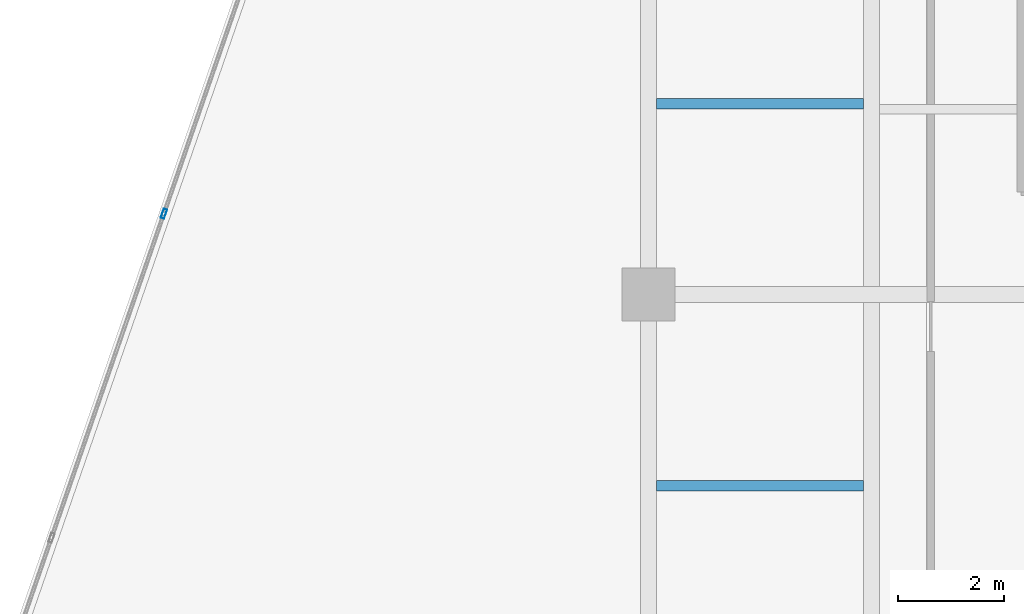
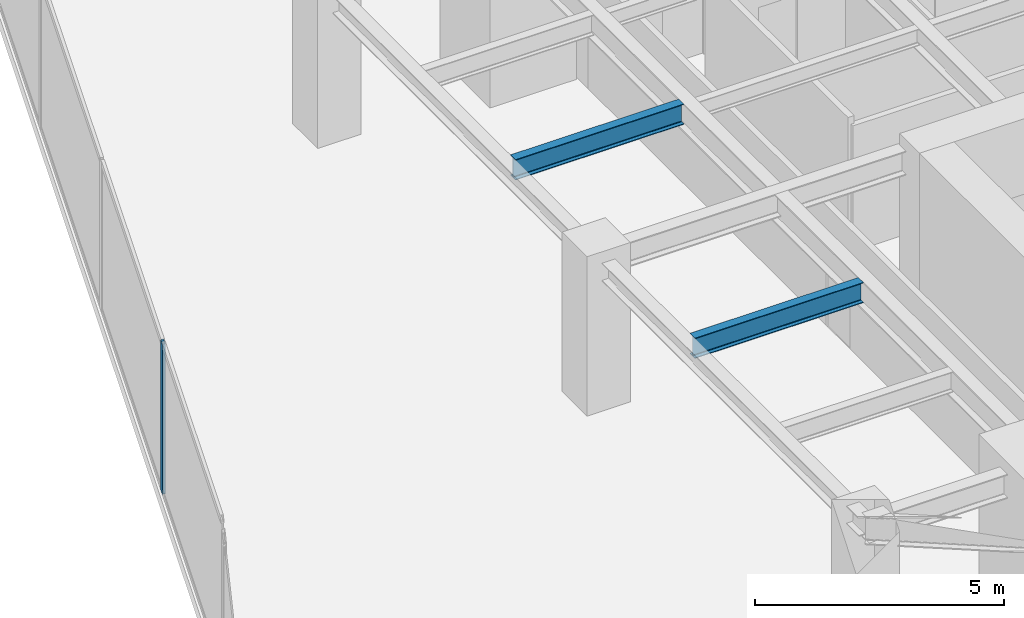
# One storey, part 8 of 28: 2 beams, 1 member, 1 element without a shape of its own.
"""IFC4 building model written with IfcOpenShell, lengths in metres."""

from ifc_helpers import new_model, si_unit, direction, frame, origin, origin_2d, place, context, subcontext, project, spatial, hollow_rectangle, i_section, extrude, source, transform, mapped, material, material_profile, profile_set, type_object, type_shapes, element, aggregate, save


model = new_model("IFC4")

# Units and contexts
model_context = context("Model", 3, precision=1e-05, world=origin(), true_north=direction((0.0, 1.0)))
body_context = subcontext(model_context, "Body", "Model", "MODEL_VIEW")
ifc_project = project(units=[si_unit("LENGTHUNIT", "METRE"), si_unit("AREAUNIT", "SQUARE_METRE"), si_unit("VOLUMEUNIT", "CUBIC_METRE"), si_unit("PLANEANGLEUNIT", "RADIAN"), si_unit("MASSUNIT", "GRAM", prefix="KILO")], contexts=[model_context])

# Site, building, storey
site_placement = place(None, origin())
site = spatial("IfcSite", under=ifc_project, at=site_placement, CompositionType="ELEMENT")
building_placement = place(site_placement, origin())
building = spatial("IfcBuilding", under=site, at=building_placement, Name="Krantzveldt Concourse Tower", CompositionType="ELEMENT")
storey_placement = place(building_placement, frame((0.0, 0.0, 117.699951171875)))
storey = spatial("IfcBuildingStorey", under=building, at=storey_placement, Name="L28", CompositionType="ELEMENT", Elevation=117.699951171875)

# Beams
ifc_material_1 = material(Name="Steel S355JR", Category="steel")
ifc_material_profile_1 = material_profile(ifc_material_1, i_section(OverallWidth=0.199951171875, OverallDepth=0.5, WebThickness=0.01025390625, FlangeThickness=0.01611328125, FilletRadius=0.02099609375, at=origin_2d()), Name="Steel S355JR", Category="steel")
ifc_profile_set_1 = profile_set([ifc_material_profile_1], Name="Steel S355JR - IPE 500")
beam_type = type_object("IfcBeamType", Name="BM-J-IPE500", PredefinedType="JOIST", material=ifc_profile_set_1)
shared_shape_1 = source(origin(), body_context, "Body", "SweptSolid", [
    extrude(i_section(OverallWidth=0.199951171875, OverallDepth=0.5, WebThickness=0.01025390625, FlangeThickness=0.01611328125, FilletRadius=0.02099609375, at=origin_2d()), origin(), (0.0, 0.0, 1.0), 3.900146484375),
])
type_shapes(beam_type, [shared_shape_1])
for number, where, z_axis, x_axis, name in (
    (1, (21.14990234375, 23.10009765625, 3.420166015625), (1.0, 0.0, 0.0), (0.0, 1.0, 0.0), "L28 Secondary Floor Joist JW-2"),
    (2, (21.14990234375, 30.300048828125, 3.420166015625), (1.0, 0.0, 0.0), (0.0, 1.0, 0.0), "L28 Secondary Floor Joist JW-3"),
):
    element("IfcBeam", number, at=place(storey_placement, frame(where, z_axis=z_axis, x_axis=x_axis)), inside=storey, type_object=beam_type, Name=name, PredefinedType="JOIST", context=body_context, shape_type="MappedRepresentation", body=[
        mapped(shared_shape_1, transform((0.0, 0.0, 0.0), x_axis=(1.0, 0.0, 0.0), y_axis=(0.0, 1.0, 0.0), z_axis=(0.0, 0.0, 1.0), scale=1.0)),
    ])

# Curtain wall, member
ifc_material_2 = material(Name="Anodised aluminium 6063-T6", Category="aluminium")
curtain_wall_type = type_object("IfcCurtainWallType", Name="CW2", PredefinedType="USERDEFINED", material=ifc_material_2)
curtain_wall_placement = place(storey_placement, origin())
curtain_wall = element("IfcCurtainWall", 3, at=curtain_wall_placement, inside=storey, type_object=curtain_wall_type, Name="CW-L28-F01", ObjectType="UNITISED CURTAIN WALL", PredefinedType="USERDEFINED")
ifc_material_profile_2 = material_profile(ifc_material_2, hollow_rectangle(XDim=0.070068359375, YDim=0.179931640625, WallThickness=0.0048828125, at=origin_2d()), Name="Anodised aluminium 6063-T6", Category="aluminium")
ifc_profile_set_2 = profile_set([ifc_material_profile_2], Name="Anodised aluminium 6063-T6 - ALU-MULL 180x70x5")
member_type = type_object("IfcMemberType", Name="CW-MUL-180", PredefinedType="MULLION", material=ifc_profile_set_2)
shared_shape_2 = source(origin(), body_context, "Body", "SweptSolid", [
    extrude(hollow_rectangle(XDim=0.070068359375, YDim=0.179931640625, WallThickness=0.0048828125, at=origin_2d()), origin(), (0.0, 0.0, 1.0), 3.670166015625),
])
type_shapes(member_type, [shared_shape_2])
member_placement = place(storey_placement, frame((11.85791015625, 28.227294921875, 0.0), z_axis=(0.0, 0.0, 1.0), x_axis=(0.944806041446, -0.32763019404, 0.0)))
member = element("IfcMember", 4, at=member_placement, type_object=member_type, Name="CW-Z12 mullion 5", PredefinedType="MULLION", context=body_context, shape_type="MappedRepresentation", body=[
    mapped(shared_shape_2, transform((0.0, 0.0, 0.0), x_axis=(1.0, 0.0, 0.0), y_axis=(0.0, 1.0, 0.0), z_axis=(0.0, 0.0, 1.0), scale=1.0)),
])
aggregate(curtain_wall, [member])

save(model, "model.ifc")
